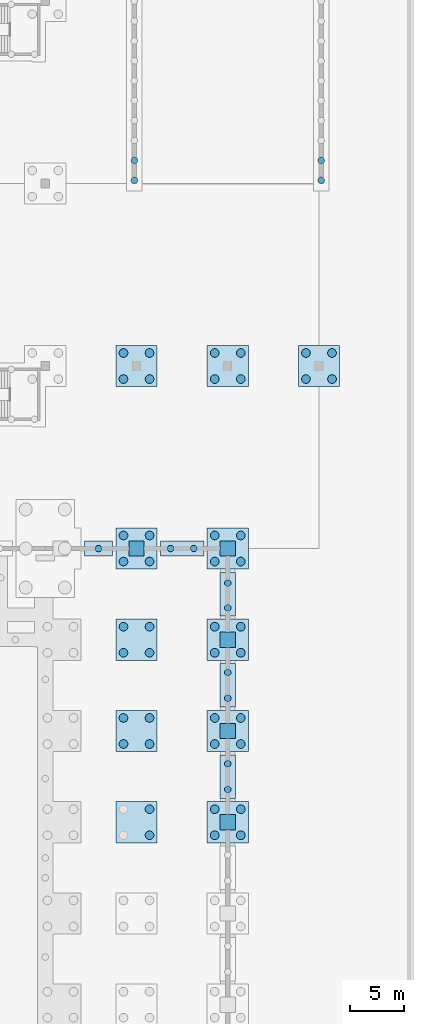
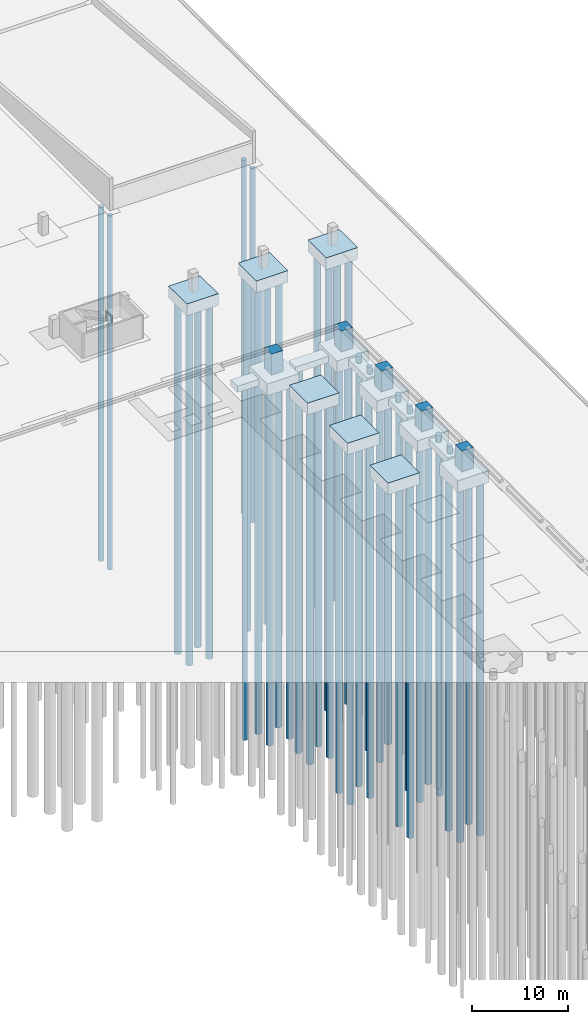
# One storey, part 21 of 67: 55 piles, 21 footings.
"""IFC4 building model written with IfcOpenShell, lengths in metres."""

from ifc_helpers import new_model, si_unit, direction, frame, origin, origin_2d, place, context, subcontext, project, spatial, polyline, circle, outline, extrude, material, material_profile, profile_set, type_object, element, save


model = new_model("IFC4")

# Units and contexts
model_context = context("Model", 3, precision=1e-05, world=origin(), true_north=direction((0.0, 1.0)))
body_context = subcontext(model_context, "Body", "Model", "MODEL_VIEW")
ifc_project = project(units=[si_unit("LENGTHUNIT", "METRE"), si_unit("AREAUNIT", "SQUARE_METRE"), si_unit("VOLUMEUNIT", "CUBIC_METRE"), si_unit("PLANEANGLEUNIT", "RADIAN"), si_unit("MASSUNIT", "GRAM", prefix="KILO")], contexts=[model_context])

# Site, building, storey
site_placement = place(None, origin())
site = spatial("IfcSite", under=ifc_project, at=site_placement, CompositionType="ELEMENT")
building_placement = place(site_placement, origin())
building = spatial("IfcBuilding", under=site, at=building_placement, Name="Rain Tree Exposition and Congress Centre", CompositionType="ELEMENT")
storey_placement = place(building_placement, frame((0.0, 0.0, -3.0)))
storey = spatial("IfcBuildingStorey", under=building, at=storey_placement, Name="B1", CompositionType="ELEMENT", Elevation=-3.0)

# Piles
ifc_material_1 = material(Name="Concrete C35/45", Category="concrete")
ifc_material_profile_1 = material_profile(ifc_material_1, circle(Radius=0.300048828125, at=origin_2d()), Name="D600")
ifc_profile_set_1 = profile_set([ifc_material_profile_1], Name="Concrete C35/45")
pile_type_1 = type_object("IfcPileType", Name="Bored pile D600", PredefinedType="BORED", material=ifc_profile_set_1)
for number, where, z_axis, x_axis, name in (
    (1, (269.0, 237.333251953125, -0.72509765625), (0.0, 0.0, -1.0), (1.0, 0.0, 0.0), "Bored pile 1471"),
    (2, (269.0, 235.5, -0.72509765625), (0.0, 0.0, -1.0), (1.0, 0.0, 0.0), "Bored pile 1472"),
    (3, (251.800048828125, 237.333251953125, -0.72509765625), (0.0, 0.0, -1.0), (1.0, 0.0, 0.0), "Bored pile 1498"),
    (4, (251.800048828125, 235.5, -0.72509765625), (0.0, 0.0, -1.0), (1.0, 0.0, 0.0), "Bored pile 1499"),
    (5, (260.39990234375, 179.416748046875, 0.92578125), (0.0, 0.0, -1.0), (1.0, 0.0, 0.0), "Bored pile 2136"),
    (6, (260.39990234375, 181.783203125, 0.92578125), (0.0, 0.0, -1.0), (1.0, 0.0, 0.0), "Bored pile 2137"),
    (7, (260.39990234375, 187.816650390625, 0.92578125), (0.0, 0.0, -1.0), (1.0, 0.0, 0.0), "Bored pile 2138"),
    (8, (260.39990234375, 190.183349609375, 0.92578125), (0.0, 0.0, -1.0), (1.0, 0.0, 0.0), "Bored pile 2139"),
    (9, (260.39990234375, 196.13330078125, 0.92578125), (0.0, 0.0, -1.0), (1.0, 0.0, 0.0), "Bored pile 2145"),
    (10, (260.39990234375, 198.416748046875, 0.92578125), (0.0, 0.0, -1.0), (1.0, 0.0, 0.0), "Bored pile 2146"),
    (11, (248.5, 201.60009765625, -0.72509765625), (0.0, 0.0, -1.0), (1.0, 0.0, 0.0), "Bored pile 2532"),
    (12, (255.13330078125, 201.60009765625, -0.72509765625), (0.0, 0.0, -1.0), (1.0, 0.0, 0.0), "Bored pile 2533"),
    (13, (257.2666015625, 201.60009765625, -0.72509765625), (0.0, 0.0, -1.0), (1.0, 0.0, 0.0), "Bored pile 2534"),
):
    element("IfcPile", number, at=place(storey_placement, frame(where, z_axis=z_axis, x_axis=x_axis)), inside=storey, type_object=pile_type_1, Name=name, PredefinedType="BORED", context=body_context, shape_type="SweptSolid", body=[
        extrude(circle(Radius=0.300048828125, at=origin_2d()), origin(), (0.0, 0.0, 1.0), 45.074951171875),
    ])
ifc_material_2 = material(Name="Concrete C35/45", Category="concrete")
ifc_material_profile_2 = material_profile(ifc_material_2, circle(Radius=0.39990234375, at=origin_2d()), Name="D800")
ifc_profile_set_2 = profile_set([ifc_material_profile_2], Name="Concrete C35/45")
pile_type_2 = type_object("IfcPileType", Name="Bored pile D800", PredefinedType="BORED", material=ifc_profile_set_2)
for number, where, z_axis, x_axis, name in (
    (14, (259.199951171875, 175.199951171875, -1.425048828125), (0.0, 0.0, -1.0), (1.0, 0.0, 0.0), "Bored pile 1366"),
    (15, (261.60009765625, 175.199951171875, -1.425048828125), (0.0, 0.0, -1.0), (1.0, 0.0, 0.0), "Bored pile 1367"),
    (16, (259.199951171875, 177.60009765625, -1.425048828125), (0.0, 0.0, -1.0), (1.0, 0.0, 0.0), "Bored pile 1368"),
    (17, (261.60009765625, 177.60009765625, -1.425048828125), (0.0, 0.0, -1.0), (1.0, 0.0, 0.0), "Bored pile 1369"),
    (18, (259.199951171875, 183.60009765625, -1.425048828125), (0.0, 0.0, -1.0), (1.0, 0.0, 0.0), "Bored pile 1370"),
    (19, (261.60009765625, 183.60009765625, -1.425048828125), (0.0, 0.0, -1.0), (1.0, 0.0, 0.0), "Bored pile 1371"),
    (20, (259.199951171875, 186.0, -1.425048828125), (0.0, 0.0, -1.0), (1.0, 0.0, 0.0), "Bored pile 1372"),
    (21, (261.60009765625, 186.0, -1.425048828125), (0.0, 0.0, -1.0), (1.0, 0.0, 0.0), "Bored pile 1373"),
    (22, (259.199951171875, 192.0, -1.425048828125), (0.0, 0.0, -1.0), (1.0, 0.0, 0.0), "Bored pile 1374"),
    (23, (261.60009765625, 192.0, -1.425048828125), (0.0, 0.0, -1.0), (1.0, 0.0, 0.0), "Bored pile 1375"),
    (24, (259.199951171875, 194.39990234375, -1.425048828125), (0.0, 0.0, -1.0), (1.0, 0.0, 0.0), "Bored pile 1376"),
    (25, (261.60009765625, 194.39990234375, -1.425048828125), (0.0, 0.0, -1.0), (1.0, 0.0, 0.0), "Bored pile 1377"),
    (26, (250.800048828125, 200.39990234375, -1.425048828125), (0.0, 0.0, -1.0), (1.0, 0.0, 0.0), "Bored pile 1384"),
    (27, (253.199951171875, 200.39990234375, -1.425048828125), (0.0, 0.0, -1.0), (1.0, 0.0, 0.0), "Bored pile 1385"),
    (28, (250.800048828125, 202.800048828125, -1.425048828125), (0.0, 0.0, -1.0), (1.0, 0.0, 0.0), "Bored pile 1386"),
    (29, (253.199951171875, 202.800048828125, -1.425048828125), (0.0, 0.0, -1.0), (1.0, 0.0, 0.0), "Bored pile 1387"),
    (30, (259.199951171875, 200.39990234375, -1.425048828125), (0.0, 0.0, -1.0), (1.0, 0.0, 0.0), "Bored pile 1388"),
    (31, (261.60009765625, 200.39990234375, -1.425048828125), (0.0, 0.0, -1.0), (1.0, 0.0, 0.0), "Bored pile 1389"),
    (32, (259.199951171875, 202.800048828125, -1.425048828125), (0.0, 0.0, -1.0), (1.0, 0.0, 0.0), "Bored pile 1390"),
    (33, (261.60009765625, 202.800048828125, -1.425048828125), (0.0, 0.0, -1.0), (1.0, 0.0, 0.0), "Bored pile 1391"),
    (34, (267.60009765625, 217.199951171875, -1.425048828125), (0.0, 0.0, -1.0), (1.0, 0.0, 0.0), "Bored pile 1412"),
    (35, (270.0, 217.199951171875, -1.425048828125), (0.0, 0.0, -1.0), (1.0, 0.0, 0.0), "Bored pile 1413"),
    (36, (267.60009765625, 219.60009765625, -1.425048828125), (0.0, 0.0, -1.0), (1.0, 0.0, 0.0), "Bored pile 1414"),
    (37, (270.0, 219.60009765625, -1.425048828125), (0.0, 0.0, -1.0), (1.0, 0.0, 0.0), "Bored pile 1415"),
    (38, (259.199951171875, 217.199951171875, -1.425048828125), (0.0, 0.0, -1.0), (1.0, 0.0, 0.0), "Bored pile 1416"),
    (39, (261.60009765625, 217.199951171875, -1.425048828125), (0.0, 0.0, -1.0), (1.0, 0.0, 0.0), "Bored pile 1417"),
    (40, (259.199951171875, 219.60009765625, -1.425048828125), (0.0, 0.0, -1.0), (1.0, 0.0, 0.0), "Bored pile 1418"),
    (41, (261.60009765625, 219.60009765625, -1.425048828125), (0.0, 0.0, -1.0), (1.0, 0.0, 0.0), "Bored pile 1419"),
    (42, (250.800048828125, 217.199951171875, -1.425048828125), (0.0, 0.0, -1.0), (1.0, 0.0, 0.0), "Bored pile 1424"),
    (43, (253.199951171875, 217.199951171875, -1.425048828125), (0.0, 0.0, -1.0), (1.0, 0.0, 0.0), "Bored pile 1425"),
    (44, (250.800048828125, 219.60009765625, -1.425048828125), (0.0, 0.0, -1.0), (1.0, 0.0, 0.0), "Bored pile 1426"),
    (45, (253.199951171875, 219.60009765625, -1.425048828125), (0.0, 0.0, -1.0), (1.0, 0.0, 0.0), "Bored pile 1427"),
    (46, (253.199951171875, 175.199951171875, 1.22509765625), (0.0, 0.0, -1.0), (1.0, 0.0, 0.0), "Bored pile 1602"),
    (47, (253.199951171875, 177.60009765625, 1.22509765625), (0.0, 0.0, -1.0), (1.0, 0.0, 0.0), "Bored pile 1604"),
    (48, (250.800048828125, 183.60009765625, 1.22509765625), (0.0, 0.0, -1.0), (1.0, 0.0, 0.0), "Bored pile 1605"),
    (49, (253.199951171875, 183.60009765625, 1.22509765625), (0.0, 0.0, -1.0), (1.0, 0.0, 0.0), "Bored pile 1606"),
    (50, (250.800048828125, 186.0, 1.22509765625), (0.0, 0.0, -1.0), (1.0, 0.0, 0.0), "Bored pile 1607"),
    (51, (253.199951171875, 186.0, 1.22509765625), (0.0, 0.0, -1.0), (1.0, 0.0, 0.0), "Bored pile 1608"),
    (52, (250.800048828125, 192.0, 1.22509765625), (0.0, 0.0, -1.0), (1.0, 0.0, 0.0), "Bored pile 1609"),
    (53, (253.199951171875, 192.0, 1.22509765625), (0.0, 0.0, -1.0), (1.0, 0.0, 0.0), "Bored pile 1610"),
    (54, (250.800048828125, 194.39990234375, 1.22509765625), (0.0, 0.0, -1.0), (1.0, 0.0, 0.0), "Bored pile 1611"),
    (55, (253.199951171875, 194.39990234375, 1.22509765625), (0.0, 0.0, -1.0), (1.0, 0.0, 0.0), "Bored pile 1612"),
):
    element("IfcPile", number, at=place(storey_placement, frame(where, z_axis=z_axis, x_axis=x_axis)), inside=storey, type_object=pile_type_2, Name=name, PredefinedType="BORED", context=body_context, shape_type="SweptSolid", body=[
        extrude(circle(Radius=0.39990234375, at=origin_2d()), origin(), (0.0, 0.0, 1.0), 45.074951171875),
    ])

# Footings
ifc_material_3 = material(Name="Concrete C35/45", Category="concrete")
footing_type_1 = type_object("IfcFootingType", Name="Pier cap 2650 thick", PredefinedType="PILE_CAP", material=ifc_material_3)
footing_1_placement = place(storey_placement, origin())
element("IfcFooting", 56, at=footing_1_placement, inside=storey, type_object=footing_type_1, Name="Pier cap 012", PredefinedType="PILE_CAP", context=body_context, shape_type="SweptSolid", body=[
    extrude(outline(polyline([(259.699951171875, 177.10009765625), (259.699951171875, 175.699951171875), (261.10009765625, 175.699951171875), (261.10009765625, 177.10009765625), (259.699951171875, 177.10009765625)])), origin(), (0.0, 0.0, 1.0), 2.64990234375),
])
footing_2_placement = place(storey_placement, origin())
element("IfcFooting", 57, at=footing_2_placement, inside=storey, type_object=footing_type_1, Name="Pier cap 013", PredefinedType="PILE_CAP", context=body_context, shape_type="SweptSolid", body=[
    extrude(outline(polyline([(259.699951171875, 185.5), (259.699951171875, 184.10009765625), (261.10009765625, 184.10009765625), (261.10009765625, 185.5), (259.699951171875, 185.5)])), origin(), (0.0, 0.0, 1.0), 2.64990234375),
])
footing_3_placement = place(storey_placement, origin())
element("IfcFooting", 58, at=footing_3_placement, inside=storey, type_object=footing_type_1, Name="Pier cap 014", PredefinedType="PILE_CAP", context=body_context, shape_type="SweptSolid", body=[
    extrude(outline(polyline([(259.699951171875, 193.89990234375), (259.699951171875, 192.5), (261.10009765625, 192.5), (261.10009765625, 193.89990234375), (259.699951171875, 193.89990234375)])), origin(), (0.0, 0.0, 1.0), 2.64990234375),
])
footing_4_placement = place(storey_placement, origin())
element("IfcFooting", 59, at=footing_4_placement, inside=storey, type_object=footing_type_1, Name="Pier cap 030", PredefinedType="PILE_CAP", context=body_context, shape_type="SweptSolid", body=[
    extrude(outline(polyline([(259.699951171875, 200.89990234375), (261.10009765625, 200.89990234375), (261.10009765625, 202.300048828125), (259.699951171875, 202.300048828125), (259.699951171875, 200.89990234375)])), origin(), (0.0, 0.0, 1.0), 2.64990234375),
])
footing_5_placement = place(storey_placement, origin())
element("IfcFooting", 60, at=footing_5_placement, inside=storey, type_object=footing_type_1, Name="Pier cap 031", PredefinedType="PILE_CAP", context=body_context, shape_type="SweptSolid", body=[
    extrude(outline(polyline([(251.300048828125, 200.89990234375), (252.699951171875, 200.89990234375), (252.699951171875, 202.300048828125), (251.300048828125, 202.300048828125), (251.300048828125, 200.89990234375)])), origin(), (0.0, 0.0, 1.0), 2.64990234375),
])
ifc_material_4 = material(Name="Concrete C35/45", Category="concrete")
footing_type_2 = type_object("IfcFootingType", Name="Pile cap 1500 thick", PredefinedType="PILE_CAP", material=ifc_material_4)
footing_6_placement = place(storey_placement, frame((0.0, 0.0, -1.5)))
element("IfcFooting", 61, at=footing_6_placement, inside=storey, type_object=footing_type_2, Name="Pile cap 271", PredefinedType="PILE_CAP", context=body_context, shape_type="SweptSolid", body=[
    extrude(outline(polyline([(262.300048828125, 174.5), (262.300048828125, 178.300048828125), (258.5, 178.300048828125), (258.5, 174.5), (262.300048828125, 174.5)])), origin(), (0.0, 0.0, 1.0), 1.5),
])
footing_7_placement = place(storey_placement, frame((0.0, 0.0, -1.5)))
element("IfcFooting", 62, at=footing_7_placement, inside=storey, type_object=footing_type_2, Name="Pile cap 272", PredefinedType="PILE_CAP", context=body_context, shape_type="SweptSolid", body=[
    extrude(outline(polyline([(262.300048828125, 182.89990234375), (262.300048828125, 186.699951171875), (258.5, 186.699951171875), (258.5, 182.89990234375), (262.300048828125, 182.89990234375)])), origin(), (0.0, 0.0, 1.0), 1.5),
])
footing_8_placement = place(storey_placement, frame((0.0, 0.0, -1.5)))
element("IfcFooting", 63, at=footing_8_placement, inside=storey, type_object=footing_type_2, Name="Pile cap 273", PredefinedType="PILE_CAP", context=body_context, shape_type="SweptSolid", body=[
    extrude(outline(polyline([(262.300048828125, 191.300048828125), (262.300048828125, 195.10009765625), (258.5, 195.10009765625), (258.5, 191.300048828125), (262.300048828125, 191.300048828125)])), origin(), (0.0, 0.0, 1.0), 1.5),
])
footing_9_placement = place(storey_placement, frame((0.0, 0.0, -1.5)))
element("IfcFooting", 64, at=footing_9_placement, inside=storey, type_object=footing_type_2, Name="Pile cap 275", PredefinedType="PILE_CAP", context=body_context, shape_type="SweptSolid", body=[
    extrude(outline(polyline([(253.89990234375, 199.699951171875), (253.89990234375, 203.5), (250.10009765625, 203.5), (250.10009765625, 199.699951171875), (253.89990234375, 199.699951171875)])), origin(), (0.0, 0.0, 1.0), 1.5),
])
footing_10_placement = place(storey_placement, frame((0.0, 0.0, -1.5)))
element("IfcFooting", 65, at=footing_10_placement, inside=storey, type_object=footing_type_2, Name="Pile cap 276", PredefinedType="PILE_CAP", context=body_context, shape_type="SweptSolid", body=[
    extrude(outline(polyline([(262.300048828125, 199.699951171875), (262.300048828125, 203.5), (258.5, 203.5), (258.5, 199.699951171875), (262.300048828125, 199.699951171875)])), origin(), (0.0, 0.0, 1.0), 1.5),
])
footing_11_placement = place(storey_placement, frame((0.0, 0.0, -1.5)))
element("IfcFooting", 66, at=footing_11_placement, inside=storey, type_object=footing_type_2, Name="Pile cap 278", PredefinedType="PILE_CAP", context=body_context, shape_type="SweptSolid", body=[
    extrude(outline(polyline([(270.699951171875, 216.5), (270.699951171875, 220.300048828125), (266.89990234375, 220.300048828125), (266.89990234375, 216.5), (270.699951171875, 216.5)])), origin(), (0.0, 0.0, 1.0), 1.5),
])
footing_12_placement = place(storey_placement, frame((0.0, 0.0, -1.5)))
element("IfcFooting", 67, at=footing_12_placement, inside=storey, type_object=footing_type_2, Name="Pile cap 279", PredefinedType="PILE_CAP", context=body_context, shape_type="SweptSolid", body=[
    extrude(outline(polyline([(262.300048828125, 216.5), (262.300048828125, 220.300048828125), (258.5, 220.300048828125), (258.5, 216.5), (262.300048828125, 216.5)])), origin(), (0.0, 0.0, 1.0), 1.5),
])
footing_13_placement = place(storey_placement, frame((0.0, 0.0, -1.5)))
element("IfcFooting", 68, at=footing_13_placement, inside=storey, type_object=footing_type_2, Name="Pile cap 281", PredefinedType="PILE_CAP", context=body_context, shape_type="SweptSolid", body=[
    extrude(outline(polyline([(253.89990234375, 216.5), (253.89990234375, 220.300048828125), (250.10009765625, 220.300048828125), (250.10009765625, 216.5), (253.89990234375, 216.5)])), origin(), (0.0, 0.0, 1.0), 1.5),
])
footing_14_placement = place(storey_placement, frame((0.0, 0.0, 1.14990234375)))
element("IfcFooting", 69, at=footing_14_placement, inside=storey, type_object=footing_type_2, Name="Pile cap 306", PredefinedType="PILE_CAP", context=body_context, shape_type="SweptSolid", body=[
    extrude(outline(polyline([(253.89990234375, 174.5), (253.89990234375, 178.300048828125), (250.10009765625, 178.300048828125), (250.10009765625, 174.5), (253.89990234375, 174.5)])), origin(), (0.0, 0.0, 1.0), 1.5),
])
footing_15_placement = place(storey_placement, frame((0.0, 0.0, 1.14990234375)))
element("IfcFooting", 70, at=footing_15_placement, inside=storey, type_object=footing_type_2, Name="Pile cap 307", PredefinedType="PILE_CAP", context=body_context, shape_type="SweptSolid", body=[
    extrude(outline(polyline([(253.89990234375, 182.89990234375), (253.89990234375, 186.699951171875), (250.10009765625, 186.699951171875), (250.10009765625, 182.89990234375), (253.89990234375, 182.89990234375)])), origin(), (0.0, 0.0, 1.0), 1.5),
])
footing_16_placement = place(storey_placement, frame((0.0, 0.0, 1.14990234375)))
element("IfcFooting", 71, at=footing_16_placement, inside=storey, type_object=footing_type_2, Name="Pile cap 308", PredefinedType="PILE_CAP", context=body_context, shape_type="SweptSolid", body=[
    extrude(outline(polyline([(253.89990234375, 191.300048828125), (253.89990234375, 195.10009765625), (250.10009765625, 195.10009765625), (250.10009765625, 191.300048828125), (253.89990234375, 191.300048828125)])), origin(), (0.0, 0.0, 1.0), 1.5),
])
ifc_material_5 = material(Name="Concrete C35/45", Category="concrete")
footing_type_3 = type_object("IfcFootingType", Name="Strip footing 800 thick", PredefinedType="STRIP_FOOTING", material=ifc_material_5)
footing_17_placement = place(storey_placement, frame((0.0, 0.0, -0.800048828125)))
element("IfcFooting", 72, at=footing_17_placement, inside=storey, type_object=footing_type_3, Name="Strip footing 178", PredefinedType="STRIP_FOOTING", context=body_context, shape_type="SweptSolid", body=[
    extrude(outline(polyline([(247.199951171875, 202.300048828125), (247.199951171875, 200.89990234375), (249.800048828125, 200.89990234375), (249.800048828125, 202.300048828125), (247.199951171875, 202.300048828125)])), origin(), (0.0, 0.0, 1.0), 0.800048828125),
])
footing_18_placement = place(storey_placement, frame((0.0, 0.0, -0.800048828125)))
element("IfcFooting", 73, at=footing_18_placement, inside=storey, type_object=footing_type_3, Name="Strip footing 179", PredefinedType="STRIP_FOOTING", context=body_context, shape_type="SweptSolid", body=[
    extrude(outline(polyline([(254.199951171875, 202.300048828125), (254.199951171875, 200.89990234375), (258.199951171875, 200.89990234375), (258.199951171875, 202.300048828125), (254.199951171875, 202.300048828125)])), origin(), (0.0, 0.0, 1.0), 0.800048828125),
])
footing_19_placement = place(storey_placement, frame((0.0, 0.0, -0.800048828125)))
element("IfcFooting", 74, at=footing_19_placement, inside=storey, type_object=footing_type_3, Name="Strip footing 180", PredefinedType="STRIP_FOOTING", context=body_context, shape_type="SweptSolid", body=[
    extrude(outline(polyline([(261.10009765625, 199.39990234375), (259.699951171875, 199.39990234375), (259.699951171875, 195.39990234375), (261.10009765625, 195.39990234375), (261.10009765625, 199.39990234375)])), origin(), (0.0, 0.0, 1.0), 0.800048828125),
])
footing_20_placement = place(storey_placement, frame((0.0, 0.0, -0.800048828125)))
element("IfcFooting", 75, at=footing_20_placement, inside=storey, type_object=footing_type_3, Name="Strip footing 181", PredefinedType="STRIP_FOOTING", context=body_context, shape_type="SweptSolid", body=[
    extrude(outline(polyline([(261.10009765625, 191.0), (259.699951171875, 191.0), (259.699951171875, 187.0), (261.10009765625, 187.0), (261.10009765625, 191.0)])), origin(), (0.0, 0.0, 1.0), 0.800048828125),
])
footing_21_placement = place(storey_placement, frame((0.0, 0.0, -0.800048828125)))
element("IfcFooting", 76, at=footing_21_placement, inside=storey, type_object=footing_type_3, Name="Strip footing 182", PredefinedType="STRIP_FOOTING", context=body_context, shape_type="SweptSolid", body=[
    extrude(outline(polyline([(261.10009765625, 182.60009765625), (259.699951171875, 182.60009765625), (259.699951171875, 178.60009765625), (261.10009765625, 178.60009765625), (261.10009765625, 182.60009765625)])), origin(), (0.0, 0.0, 1.0), 0.800048828125),
])

save(model, "model.ifc")
